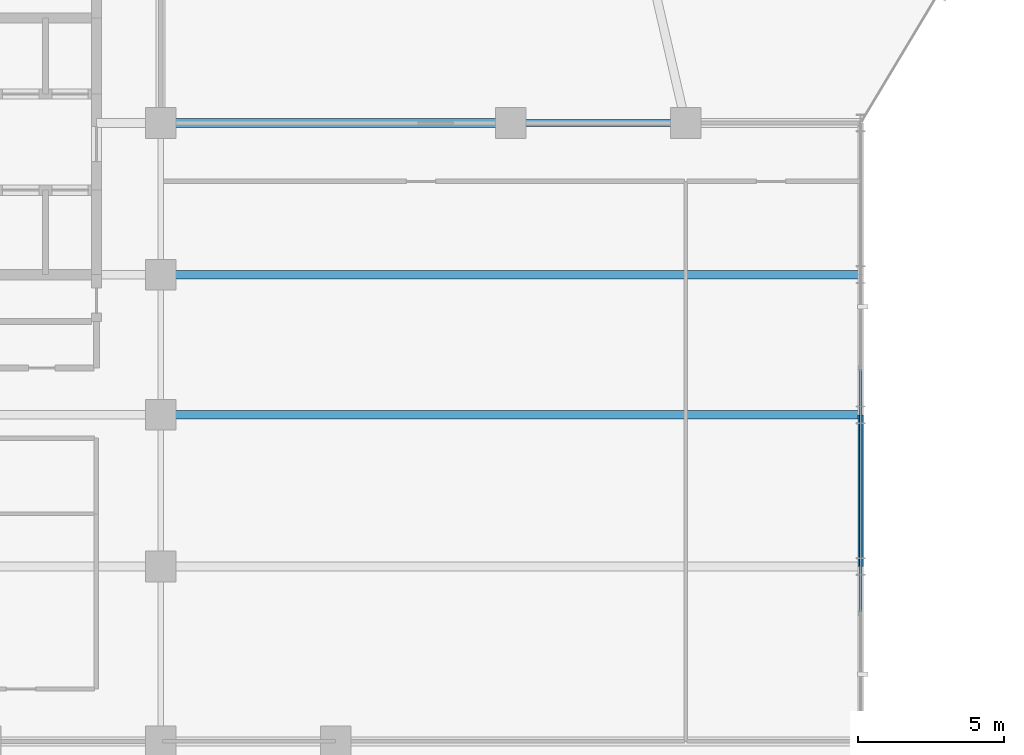
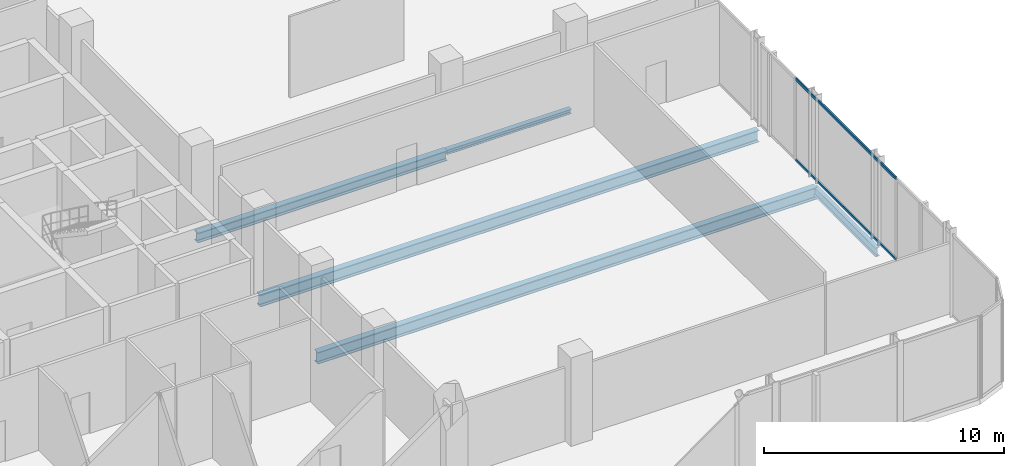
# One storey, part 11 of 31: 5 beams, 2 members, 1 element without a shape of its own.
"""IFC4 building model written with IfcOpenShell, lengths in metres."""

import ifcopenshell
import ifcopenshell.guid

model = None  # the IFC model being written
_history = None  # IfcOwnerHistory: only IFC2X3 demands one
_inside = {}  # id of a spatial element -> (the spatial element, [elements in it])
_under = {}  # id of a project, library or spatial element -> (it, [spatial elements below it])
_declared = {}  # id of a project -> (the project, [libraries it declares])
_typed = {}  # id of a type object -> (the type object, [elements of that type])
_made_of = {}  # id of a material, layer set ... -> (it, [elements and type objects made of it])


def new_model(schema):
    """Start an empty IFC model of exactly this schema.

    Asked for "IFC4X3", IfcOpenShell would pick the latest addendum, in which some entities
    have other attributes; the version numbers below select the first issue.
    IFC2X3 requires an IfcOwnerHistory on every rooted entity: one is made here for all.
    """
    global model, _history
    if schema == "IFC4X3":
        model = ifcopenshell.file(schema_version=(4, 3, 0, 0))
    else:
        model = ifcopenshell.file(schema=schema)
    _inside.clear()
    _under.clear()
    _declared.clear()
    _typed.clear()
    _made_of.clear()
    _history = None
    if model.schema == "IFC2X3":
        org = make("IfcOrganization", Name="unknown")
        user = make(
            "IfcPersonAndOrganization",
            ThePerson=make("IfcPerson", FamilyName="unknown"),
            TheOrganization=org,
        )
        app = make(
            "IfcApplication",
            ApplicationDeveloper=org,
            Version="unknown",
            ApplicationFullName="unknown",
            ApplicationIdentifier="unknown",
        )
        _history = make(
            "IfcOwnerHistory",
            OwningUser=user,
            OwningApplication=app,
            ChangeAction="ADDED",
            CreationDate=0,
        )
    return model


def make(cls, **values):
    """One entity of the class cls with the attributes given. An attribute that is None is left unset."""
    return model.create_entity(
        cls, **{name: value for name, value in values.items() if value is not None}
    )


def rooted(cls, **values):
    """An entity with a GlobalId (a new one), such as an element, a storey or a relation."""
    return make(cls, GlobalId=ifcopenshell.guid.new(), OwnerHistory=_history, **values)


def si_unit(unit_type, name, prefix=None):
    """IfcSIUnit, for example si_unit("LENGTHUNIT", "METRE", prefix="MILLI")."""
    return make("IfcSIUnit", UnitType=unit_type, Prefix=prefix, Name=name)


def assignment(units):
    """IfcUnitAssignment: the units of a project."""
    return None if units is None else make("IfcUnitAssignment", Units=units)


def point(xyz):
    """IfcCartesianPoint."""
    return None if xyz is None else make("IfcCartesianPoint", Coordinates=xyz)


def direction(xyz):
    """IfcDirection."""
    return None if xyz is None else make("IfcDirection", DirectionRatios=xyz)


def frame(location, z_axis=None, x_axis=None):
    """IfcAxis2Placement3D, a coordinate frame: its origin and axes. An axis left out is left unset."""
    return make(
        "IfcAxis2Placement3D",
        Location=point(location),
        Axis=direction(z_axis),
        RefDirection=direction(x_axis),
    )


def frame_2d(location, x_axis=None):
    """IfcAxis2Placement2D, a coordinate frame in the plane: its origin and x axis."""
    return make(
        "IfcAxis2Placement2D", Location=point(location), RefDirection=direction(x_axis)
    )


def origin():
    """The frame at (0, 0, 0) with its axes left unset."""
    return frame((0.0, 0.0, 0.0))


def origin_2d():
    """The frame at (0, 0) in the plane with its x axis left unset."""
    return frame_2d((0.0, 0.0))


def place(relative_to, where):
    """IfcLocalPlacement: puts the frame where relative to a parent placement (None: the world)."""
    return make(
        "IfcLocalPlacement", PlacementRelTo=relative_to, RelativePlacement=where
    )


def context(
    kind, dimensions, precision=None, world=None, true_north=None, identifier=None
):
    """IfcGeometricRepresentationContext, for example the 3D "Model" context."""
    return make(
        "IfcGeometricRepresentationContext",
        ContextIdentifier=identifier,
        ContextType=kind,
        CoordinateSpaceDimension=dimensions,
        Precision=precision,
        WorldCoordinateSystem=world,
        TrueNorth=true_north,
    )


def subcontext(parent, identifier, kind, view, scale=None):
    """IfcGeometricRepresentationSubContext, for example "Body" below "Model"."""
    return make(
        "IfcGeometricRepresentationSubContext",
        ContextIdentifier=identifier,
        ContextType=kind,
        ParentContext=parent,
        TargetScale=scale,
        TargetView=view,
    )


def project(units=None, contexts=None):
    """IfcProject with its units and contexts."""
    return rooted(
        "IfcProject",
        Name="project",
        RepresentationContexts=contexts,
        UnitsInContext=assignment(units),
    )


def spatial(cls, under=None, at=None, **own):
    """A site, building, storey or space (cls), placed at a placement, below another one or the project."""
    s = rooted(cls, ObjectPlacement=at, **own)
    if under is not None:
        _under.setdefault(under.id(), (under, []))[1].append(s)
    return s


def profile(cls, at=None, kind="AREA", **sizes):
    """A parametric profile (cls). Its sizes go by their IFC names, for example OverallWidth=200.0."""
    return make(cls, ProfileType=kind, Position=at, **sizes)


def hollow_rectangle(**sizes):
    """IfcRectangleHollowProfileDef."""
    return profile("IfcRectangleHollowProfileDef", **sizes)


def i_section(**sizes):
    """IfcIShapeProfileDef."""
    return profile("IfcIShapeProfileDef", **sizes)


def extrude(swept, where, along, depth):
    """IfcExtrudedAreaSolid: the profile swept, set in the frame where, extruded along a direction by depth."""
    return make(
        "IfcExtrudedAreaSolid",
        SweptArea=swept,
        Position=where,
        ExtrudedDirection=direction(along),
        Depth=depth,
    )


def shape(context_of_items, identifier, shape_type, items):
    """IfcShapeRepresentation: the items that make up one representation, for example the "Body"."""
    return make(
        "IfcShapeRepresentation",
        ContextOfItems=context_of_items,
        RepresentationIdentifier=identifier,
        RepresentationType=shape_type,
        Items=items,
    )


def material(Name=None, Category=None):
    """IfcMaterial."""
    return make("IfcMaterial", Name=Name, Category=Category)


def layer(
    of_material, thickness, ventilated=None, Name=None, Category=None, Priority=None
):
    """IfcMaterialLayer: one layer of a wall or slab, of a material (None: an air gap)."""
    return make(
        "IfcMaterialLayer",
        Material=of_material,
        LayerThickness=thickness,
        IsVentilated=ventilated,
        Name=Name,
        Category=Category,
        Priority=Priority,
    )


def layer_set(layers, Name=None):
    """IfcMaterialLayerSet."""
    return make("IfcMaterialLayerSet", MaterialLayers=layers, LayerSetName=Name)


def material_profile(
    of_material, cross_section, Name=None, Category=None, Priority=None
):
    """IfcMaterialProfile: a cross section and its material."""
    return make(
        "IfcMaterialProfile",
        Name=Name,
        Material=of_material,
        Profile=cross_section,
        Priority=Priority,
        Category=Category,
    )


def profile_set(profiles, Name=None, composite=None):
    """IfcMaterialProfileSet."""
    return make(
        "IfcMaterialProfileSet",
        Name=Name,
        MaterialProfiles=profiles,
        CompositeProfile=composite,
    )


def made_of(thing, what):
    """Note that an element or type object is made of a material, layer set ...; save() writes the relation."""
    if what is not None:
        _made_of.setdefault(what.id(), (what, []))[1].append(thing)
    return thing


def type_object(cls, material=None, **own):
    """A type object (cls), such as IfcWallType, which elements share."""
    return made_of(rooted(cls, **own), material)


def element(
    cls,
    number,
    at=None,
    inside=None,
    cuts=None,
    type_object=None,
    material=None,
    context=None,
    identifier="Body",
    shape_type=None,
    held_by="IfcProductDefinitionShape",
    body=None,
    shapes=None,
    **own,
):
    """One element of the class cls, such as IfcWall. Its Tag is "e" and its number.

    at: its placement. inside: the storey or other place that contains it. cuts: it is an
    opening in that element (IfcRelVoidsElement). A single representation is given by context,
    identifier, shape_type and body (its items); several are given by shapes. held_by: the class
    of the entity that holds the representations. save() writes the other relations.
    """
    e = rooted(cls, Tag="e%d" % number, ObjectPlacement=at, **own)
    if body is not None:
        shapes = [shape(context, identifier, shape_type, body)]
    if shapes is not None:
        e.Representation = make(held_by, Representations=shapes)
    if inside is not None:
        _inside.setdefault(inside.id(), (inside, []))[1].append(e)
    if cuts is not None:
        rooted(
            "IfcRelVoidsElement", RelatingBuildingElement=cuts, RelatedOpeningElement=e
        )
    if type_object is not None:
        _typed.setdefault(type_object.id(), (type_object, []))[1].append(e)
    return made_of(e, material)


def aggregate(whole, parts):
    """IfcRelAggregates: a whole, such as a stair, and the parts it consists of."""
    return rooted("IfcRelAggregates", RelatingObject=whole, RelatedObjects=parts)


def save(model, path):
    """Write the relations noted so far, then the file.

    IfcRelAggregates (storeys below a building ...), IfcRelContainedInSpatialStructure (elements
    in a storey), IfcRelDefinesByType, IfcRelAssociatesMaterial and IfcRelDeclares: one each for
    every whole, place, type object, material and project.
    """
    for whole, parts in _under.values():
        aggregate(whole, parts)
    for where, things in _inside.values():
        rooted(
            "IfcRelContainedInSpatialStructure",
            RelatedElements=things,
            RelatingStructure=where,
        )
    for kind, things in _typed.values():
        rooted("IfcRelDefinesByType", RelatedObjects=things, RelatingType=kind)
    for what, things in _made_of.values():
        rooted("IfcRelAssociatesMaterial", RelatedObjects=things, RelatingMaterial=what)
    for by, libraries in _declared.values():
        rooted("IfcRelDeclares", RelatingContext=by, RelatedDefinitions=libraries)
    model.write(path)


model = new_model("IFC4")

# Units and contexts
model_context = context("Model", 3, precision=1e-05, world=origin(), true_north=direction((0.0, 1.0)))
body_context = subcontext(model_context, "Body", "Model", "MODEL_VIEW")
ifc_project = project(units=[si_unit("LENGTHUNIT", "METRE"), si_unit("AREAUNIT", "SQUARE_METRE"), si_unit("VOLUMEUNIT", "CUBIC_METRE"), si_unit("PLANEANGLEUNIT", "RADIAN"), si_unit("MASSUNIT", "GRAM", prefix="KILO")], contexts=[model_context])

# Site, building, storey
site_placement = place(None, origin())
site = spatial("IfcSite", under=ifc_project, at=site_placement, CompositionType="ELEMENT")
building_placement = place(site_placement, origin())
building = spatial("IfcBuilding", under=site, at=building_placement, Name="Keshet Zoharim Tower", CompositionType="ELEMENT")
storey_placement = place(building_placement, frame((0.0, 0.0, 125.300048828125)))
storey = spatial("IfcBuildingStorey", under=building, at=storey_placement, Name="L30", CompositionType="ELEMENT", Elevation=125.300048828125)

# Beams
ifc_material_1 = material(Name="Steel S355", Category="steel")
ifc_material_profile_1 = material_profile(ifc_material_1, i_section(OverallWidth=0.300048828125, OverallDepth=0.60009765625, WebThickness=0.015380859375, FlangeThickness=0.030029296875, FilletRadius=0.027099609375, at=origin_2d()), Name="HEB600")
ifc_profile_set_1 = profile_set([ifc_material_profile_1], Name="Steel S355")
beam_type_1 = type_object("IfcBeamType", Name="BM-LNG-HB600", PredefinedType="BEAM", material=ifc_profile_set_1)
for number, where, z_axis, x_axis, name in (
    (1, (33.0, 17.89990234375, -0.6201171875), (1.0, 0.0, 0.0), (0.0, 1.0, 0.0), "L30 Primary Girder X-013"),
    (2, (33.0, 22.699951171875, -0.6201171875), (1.0, 0.0, 0.0), (0.0, 1.0, 0.0), "L30 Primary Girder X-014"),
):
    element("IfcBeam", number, at=place(storey_placement, frame(where, z_axis=z_axis, x_axis=x_axis)), inside=storey, type_object=beam_type_1, Name=name, PredefinedType="BEAM", context=body_context, shape_type="SweptSolid", body=[
        extrude(i_section(OverallWidth=0.300048828125, OverallDepth=0.60009765625, WebThickness=0.015380859375, FlangeThickness=0.030029296875, FilletRadius=0.027099609375, at=origin_2d()), origin(), (0.0, 0.0, 1.0), 24.0),
    ])
ifc_material_profile_2 = material_profile(ifc_material_1, i_section(OverallWidth=0.239990234375, OverallDepth=0.22998046875, WebThickness=0.007568359375, FlangeThickness=0.011962890625, FilletRadius=0.02099609375, at=origin_2d()), Name="HEA240")
ifc_profile_set_2 = profile_set([ifc_material_profile_2], Name="Steel S355")
beam_type_2 = type_object("IfcBeamType", Name="BM-LNT-HA240", PredefinedType="LINTEL", material=ifc_profile_set_2)
beam_1_placement = place(storey_placement, frame((45.0, 27.89990234375, -0.43505859375), z_axis=(1.0, 0.0, 0.0), x_axis=(0.0, 1.0, 0.0)))
element("IfcBeam", 3, at=beam_1_placement, inside=storey, type_object=beam_type_2, Name="L30 Primary Girder X-016", PredefinedType="LINTEL", context=body_context, shape_type="SweptSolid", body=[
    extrude(i_section(OverallWidth=0.239990234375, OverallDepth=0.22998046875, WebThickness=0.007568359375, FlangeThickness=0.011962890625, FilletRadius=0.02099609375, at=origin_2d()), origin(), (0.0, 0.0, 1.0), 6.0),
])
ifc_material_profile_3 = material_profile(ifc_material_1, i_section(OverallWidth=0.300048828125, OverallDepth=0.5, WebThickness=0.014404296875, FlangeThickness=0.028076171875, FilletRadius=0.027099609375, at=origin_2d()), Name="HEB500")
ifc_profile_set_3 = profile_set([ifc_material_profile_3], Name="Steel S355")
beam_type_3 = type_object("IfcBeamType", Name="BM-MED-HB500", PredefinedType="BEAM", material=ifc_profile_set_3)
beam_2_placement = place(storey_placement, frame((33.0, 27.89990234375, -0.570068359375), z_axis=(1.0, 0.0, 0.0), x_axis=(0.0, 1.0, 0.0)))
element("IfcBeam", 4, at=beam_2_placement, inside=storey, type_object=beam_type_3, Name="L30 Primary Girder X-015", PredefinedType="BEAM", context=body_context, shape_type="SweptSolid", body=[
    extrude(i_section(OverallWidth=0.300048828125, OverallDepth=0.5, WebThickness=0.014404296875, FlangeThickness=0.028076171875, FilletRadius=0.027099609375, at=origin_2d()), origin(), (0.0, 0.0, 1.0), 12.0),
])
ifc_material_profile_4 = material_profile(ifc_material_1, i_section(OverallWidth=0.18994140625, OverallDepth=0.449951171875, WebThickness=0.009521484375, FlangeThickness=0.0146484375, FilletRadius=0.02099609375, at=origin_2d()), Name="IPE450")
ifc_profile_set_4 = profile_set([ifc_material_profile_4], Name="Steel S355")
beam_type_4 = type_object("IfcBeamType", Name="BM-PRI-IP450", PredefinedType="BEAM", material=ifc_profile_set_4)
beam_3_placement = place(storey_placement, frame((57.0, 12.699951171875, -0.545166015625), z_axis=(0.0, 1.0, 0.0), x_axis=(-1.0, 0.0, 0.0)))
element("IfcBeam", 5, at=beam_3_placement, inside=storey, type_object=beam_type_4, Name="L30 Primary Girder Y-014", PredefinedType="BEAM", context=body_context, shape_type="SweptSolid", body=[
    extrude(i_section(OverallWidth=0.18994140625, OverallDepth=0.449951171875, WebThickness=0.009521484375, FlangeThickness=0.0146484375, FilletRadius=0.02099609375, at=origin_2d()), origin(), (0.0, 0.0, 1.0), 5.199951171875),
])

# Curtain wall, members
ifc_material_2 = material(Name="Aluminium 6063-T6", Category="aluminium")
ifc_layer = layer(ifc_material_2, 0.14990234375)
ifc_layer_set = layer_set([ifc_layer], Name="Aluminium 6063-T6")
curtain_wall_type = type_object("IfcCurtainWallType", Name="CW-SYS-04", PredefinedType="NOTDEFINED", material=ifc_layer_set)
curtain_wall_placement = place(storey_placement, origin())
curtain_wall = element("IfcCurtainWall", 6, at=curtain_wall_placement, inside=storey, type_object=curtain_wall_type, Name="L30 Unitised Curtain Wall 06", PredefinedType="NOTDEFINED")
ifc_material_profile_5 = material_profile(ifc_material_2, hollow_rectangle(XDim=0.080078125, YDim=0.139892578125, WallThickness=0.00390625, at=origin_2d()), Name="TRN-80x140")
ifc_profile_set_5 = profile_set([ifc_material_profile_5], Name="Aluminium 6063-T6")
member_type = type_object("IfcMemberType", Name="CWT-T14", PredefinedType="USERDEFINED", material=ifc_profile_set_5)
member_1_placement = place(storey_placement, frame((57.0, 19.465087890625, 0.034912109375), z_axis=(0.0, -1.0, 0.0), x_axis=(1.0, 0.0, 0.0)))
member_1 = element("IfcMember", 7, at=member_1_placement, type_object=member_type, Name="CW-04 transom 2.1", ObjectType="TRANSOM", PredefinedType="USERDEFINED", context=body_context, shape_type="SweptSolid", body=[
    extrude(hollow_rectangle(XDim=0.080078125, YDim=0.139892578125, WallThickness=0.00390625, at=origin_2d()), origin(), (0.0, 0.0, 1.0), 8.330078125),
])
member_2_placement = place(storey_placement, frame((57.0, 19.465087890625, 4.14990234375), z_axis=(0.0, -1.0, 0.0), x_axis=(1.0, 0.0, 0.0)))
member_2 = element("IfcMember", 8, at=member_2_placement, type_object=member_type, Name="CW-04 transom 2.2", ObjectType="TRANSOM", PredefinedType="USERDEFINED", context=body_context, shape_type="SweptSolid", body=[
    extrude(hollow_rectangle(XDim=0.080078125, YDim=0.139892578125, WallThickness=0.00390625, at=origin_2d()), origin(), (0.0, 0.0, 1.0), 8.330078125),
])
aggregate(curtain_wall, [member_1, member_2])

save(model, "model.ifc")
